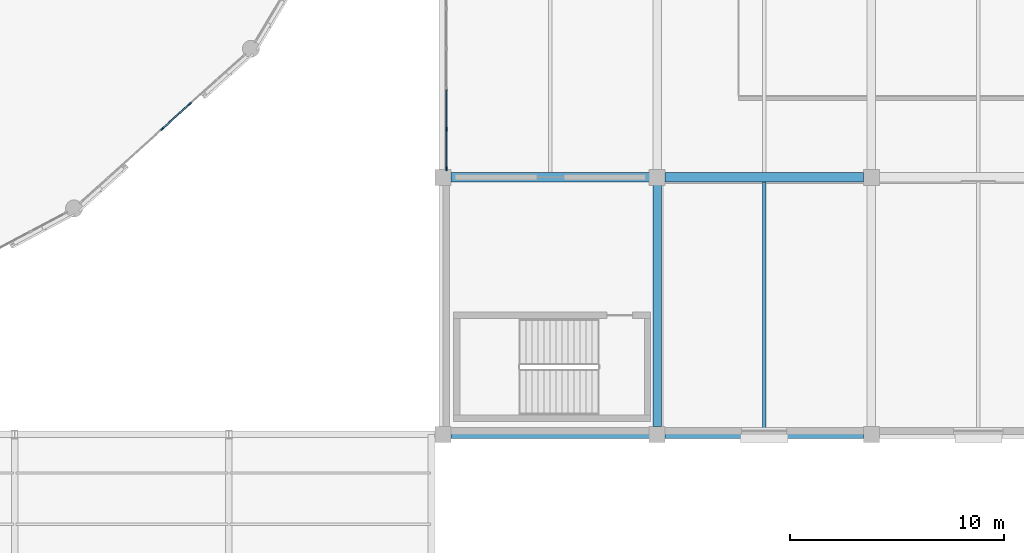
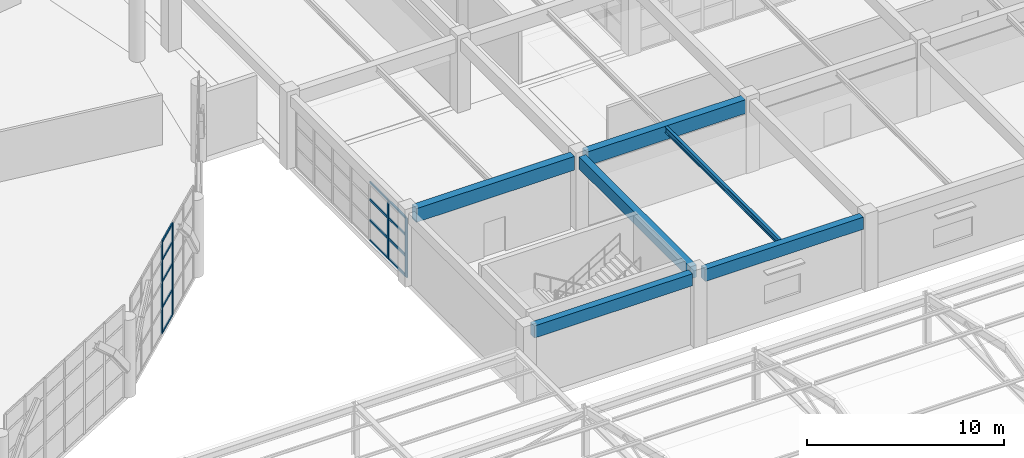
# One storey, part 33 of 109: 17 members, 6 beams, 2 elements without a shape of their own.
"""IFC4 building model written with IfcOpenShell, lengths in metres."""

import ifcopenshell
import ifcopenshell.guid

model = None  # the IFC model being written
_history = None  # IfcOwnerHistory: only IFC2X3 demands one
_inside = {}  # id of a spatial element -> (the spatial element, [elements in it])
_under = {}  # id of a project, library or spatial element -> (it, [spatial elements below it])
_declared = {}  # id of a project -> (the project, [libraries it declares])
_typed = {}  # id of a type object -> (the type object, [elements of that type])
_made_of = {}  # id of a material, layer set ... -> (it, [elements and type objects made of it])


def new_model(schema):
    """Start an empty IFC model of exactly this schema.

    Asked for "IFC4X3", IfcOpenShell would pick the latest addendum, in which some entities
    have other attributes; the version numbers below select the first issue.
    IFC2X3 requires an IfcOwnerHistory on every rooted entity: one is made here for all.
    """
    global model, _history
    if schema == "IFC4X3":
        model = ifcopenshell.file(schema_version=(4, 3, 0, 0))
    else:
        model = ifcopenshell.file(schema=schema)
    _inside.clear()
    _under.clear()
    _declared.clear()
    _typed.clear()
    _made_of.clear()
    _history = None
    if model.schema == "IFC2X3":
        org = make("IfcOrganization", Name="unknown")
        user = make(
            "IfcPersonAndOrganization",
            ThePerson=make("IfcPerson", FamilyName="unknown"),
            TheOrganization=org,
        )
        app = make(
            "IfcApplication",
            ApplicationDeveloper=org,
            Version="unknown",
            ApplicationFullName="unknown",
            ApplicationIdentifier="unknown",
        )
        _history = make(
            "IfcOwnerHistory",
            OwningUser=user,
            OwningApplication=app,
            ChangeAction="ADDED",
            CreationDate=0,
        )
    return model


def make(cls, **values):
    """One entity of the class cls with the attributes given. An attribute that is None is left unset."""
    return model.create_entity(
        cls, **{name: value for name, value in values.items() if value is not None}
    )


def rooted(cls, **values):
    """An entity with a GlobalId (a new one), such as an element, a storey or a relation."""
    return make(cls, GlobalId=ifcopenshell.guid.new(), OwnerHistory=_history, **values)


def si_unit(unit_type, name, prefix=None):
    """IfcSIUnit, for example si_unit("LENGTHUNIT", "METRE", prefix="MILLI")."""
    return make("IfcSIUnit", UnitType=unit_type, Prefix=prefix, Name=name)


def assignment(units):
    """IfcUnitAssignment: the units of a project."""
    return None if units is None else make("IfcUnitAssignment", Units=units)


def point(xyz):
    """IfcCartesianPoint."""
    return None if xyz is None else make("IfcCartesianPoint", Coordinates=xyz)


def direction(xyz):
    """IfcDirection."""
    return None if xyz is None else make("IfcDirection", DirectionRatios=xyz)


def frame(location, z_axis=None, x_axis=None):
    """IfcAxis2Placement3D, a coordinate frame: its origin and axes. An axis left out is left unset."""
    return make(
        "IfcAxis2Placement3D",
        Location=point(location),
        Axis=direction(z_axis),
        RefDirection=direction(x_axis),
    )


def frame_2d(location, x_axis=None):
    """IfcAxis2Placement2D, a coordinate frame in the plane: its origin and x axis."""
    return make(
        "IfcAxis2Placement2D", Location=point(location), RefDirection=direction(x_axis)
    )


def origin():
    """The frame at (0, 0, 0) with its axes left unset."""
    return frame((0.0, 0.0, 0.0))


def origin_2d():
    """The frame at (0, 0) in the plane with its x axis left unset."""
    return frame_2d((0.0, 0.0))


def place(relative_to, where):
    """IfcLocalPlacement: puts the frame where relative to a parent placement (None: the world)."""
    return make(
        "IfcLocalPlacement", PlacementRelTo=relative_to, RelativePlacement=where
    )


def context(
    kind, dimensions, precision=None, world=None, true_north=None, identifier=None
):
    """IfcGeometricRepresentationContext, for example the 3D "Model" context."""
    return make(
        "IfcGeometricRepresentationContext",
        ContextIdentifier=identifier,
        ContextType=kind,
        CoordinateSpaceDimension=dimensions,
        Precision=precision,
        WorldCoordinateSystem=world,
        TrueNorth=true_north,
    )


def subcontext(parent, identifier, kind, view, scale=None):
    """IfcGeometricRepresentationSubContext, for example "Body" below "Model"."""
    return make(
        "IfcGeometricRepresentationSubContext",
        ContextIdentifier=identifier,
        ContextType=kind,
        ParentContext=parent,
        TargetScale=scale,
        TargetView=view,
    )


def project(units=None, contexts=None):
    """IfcProject with its units and contexts."""
    return rooted(
        "IfcProject",
        Name="project",
        RepresentationContexts=contexts,
        UnitsInContext=assignment(units),
    )


def spatial(cls, under=None, at=None, **own):
    """A site, building, storey or space (cls), placed at a placement, below another one or the project."""
    s = rooted(cls, ObjectPlacement=at, **own)
    if under is not None:
        _under.setdefault(under.id(), (under, []))[1].append(s)
    return s


def profile(cls, at=None, kind="AREA", **sizes):
    """A parametric profile (cls). Its sizes go by their IFC names, for example OverallWidth=200.0."""
    return make(cls, ProfileType=kind, Position=at, **sizes)


def rectangle(**sizes):
    """IfcRectangleProfileDef."""
    return profile("IfcRectangleProfileDef", **sizes)


def i_section(**sizes):
    """IfcIShapeProfileDef."""
    return profile("IfcIShapeProfileDef", **sizes)


def extrude(swept, where, along, depth):
    """IfcExtrudedAreaSolid: the profile swept, set in the frame where, extruded along a direction by depth."""
    return make(
        "IfcExtrudedAreaSolid",
        SweptArea=swept,
        Position=where,
        ExtrudedDirection=direction(along),
        Depth=depth,
    )


def shape(context_of_items, identifier, shape_type, items):
    """IfcShapeRepresentation: the items that make up one representation, for example the "Body"."""
    return make(
        "IfcShapeRepresentation",
        ContextOfItems=context_of_items,
        RepresentationIdentifier=identifier,
        RepresentationType=shape_type,
        Items=items,
    )


def material(Name=None, Category=None):
    """IfcMaterial."""
    return make("IfcMaterial", Name=Name, Category=Category)


def layer(
    of_material, thickness, ventilated=None, Name=None, Category=None, Priority=None
):
    """IfcMaterialLayer: one layer of a wall or slab, of a material (None: an air gap)."""
    return make(
        "IfcMaterialLayer",
        Material=of_material,
        LayerThickness=thickness,
        IsVentilated=ventilated,
        Name=Name,
        Category=Category,
        Priority=Priority,
    )


def layer_set(layers, Name=None):
    """IfcMaterialLayerSet."""
    return make("IfcMaterialLayerSet", MaterialLayers=layers, LayerSetName=Name)


def material_profile(
    of_material, cross_section, Name=None, Category=None, Priority=None
):
    """IfcMaterialProfile: a cross section and its material."""
    return make(
        "IfcMaterialProfile",
        Name=Name,
        Material=of_material,
        Profile=cross_section,
        Priority=Priority,
        Category=Category,
    )


def profile_set(profiles, Name=None, composite=None):
    """IfcMaterialProfileSet."""
    return make(
        "IfcMaterialProfileSet",
        Name=Name,
        MaterialProfiles=profiles,
        CompositeProfile=composite,
    )


def made_of(thing, what):
    """Note that an element or type object is made of a material, layer set ...; save() writes the relation."""
    if what is not None:
        _made_of.setdefault(what.id(), (what, []))[1].append(thing)
    return thing


def type_object(cls, material=None, **own):
    """A type object (cls), such as IfcWallType, which elements share."""
    return made_of(rooted(cls, **own), material)


def element(
    cls,
    number,
    at=None,
    inside=None,
    cuts=None,
    type_object=None,
    material=None,
    context=None,
    identifier="Body",
    shape_type=None,
    held_by="IfcProductDefinitionShape",
    body=None,
    shapes=None,
    **own,
):
    """One element of the class cls, such as IfcWall. Its Tag is "e" and its number.

    at: its placement. inside: the storey or other place that contains it. cuts: it is an
    opening in that element (IfcRelVoidsElement). A single representation is given by context,
    identifier, shape_type and body (its items); several are given by shapes. held_by: the class
    of the entity that holds the representations. save() writes the other relations.
    """
    e = rooted(cls, Tag="e%d" % number, ObjectPlacement=at, **own)
    if body is not None:
        shapes = [shape(context, identifier, shape_type, body)]
    if shapes is not None:
        e.Representation = make(held_by, Representations=shapes)
    if inside is not None:
        _inside.setdefault(inside.id(), (inside, []))[1].append(e)
    if cuts is not None:
        rooted(
            "IfcRelVoidsElement", RelatingBuildingElement=cuts, RelatedOpeningElement=e
        )
    if type_object is not None:
        _typed.setdefault(type_object.id(), (type_object, []))[1].append(e)
    return made_of(e, material)


def aggregate(whole, parts):
    """IfcRelAggregates: a whole, such as a stair, and the parts it consists of."""
    return rooted("IfcRelAggregates", RelatingObject=whole, RelatedObjects=parts)


def save(model, path):
    """Write the relations noted so far, then the file.

    IfcRelAggregates (storeys below a building ...), IfcRelContainedInSpatialStructure (elements
    in a storey), IfcRelDefinesByType, IfcRelAssociatesMaterial and IfcRelDeclares: one each for
    every whole, place, type object, material and project.
    """
    for whole, parts in _under.values():
        aggregate(whole, parts)
    for where, things in _inside.values():
        rooted(
            "IfcRelContainedInSpatialStructure",
            RelatedElements=things,
            RelatingStructure=where,
        )
    for kind, things in _typed.values():
        rooted("IfcRelDefinesByType", RelatedObjects=things, RelatingType=kind)
    for what, things in _made_of.values():
        rooted("IfcRelAssociatesMaterial", RelatedObjects=things, RelatingMaterial=what)
    for by, libraries in _declared.values():
        rooted("IfcRelDeclares", RelatingContext=by, RelatedDefinitions=libraries)
    model.write(path)


model = new_model("IFC4")

# Units and contexts
model_context = context("Model", 3, precision=1e-05, world=origin(), true_north=direction((0.0, 1.0)))
body_context = subcontext(model_context, "Body", "Model", "MODEL_VIEW")
ifc_project = project(units=[si_unit("LENGTHUNIT", "METRE"), si_unit("AREAUNIT", "SQUARE_METRE"), si_unit("VOLUMEUNIT", "CUBIC_METRE"), si_unit("PLANEANGLEUNIT", "RADIAN"), si_unit("MASSUNIT", "GRAM", prefix="KILO")], contexts=[model_context])

# Site, building, storey
site_placement = place(None, origin())
site = spatial("IfcSite", under=ifc_project, at=site_placement, CompositionType="ELEMENT")
building_placement = place(site_placement, origin())
building = spatial("IfcBuilding", under=site, at=building_placement, Name="Kivolera Central Railway Station", CompositionType="ELEMENT")
storey_placement = place(building_placement, frame((0.0, 0.0, 9.60009765625)))
storey = spatial("IfcBuildingStorey", under=building, at=storey_placement, Name="L02", CompositionType="ELEMENT", Elevation=9.60009765625)

# Beams
ifc_material_1 = material(Name="Steel S355", Category="steel")
ifc_material_profile_1 = material_profile(ifc_material_1, i_section(OverallWidth=0.169921875, OverallDepth=0.360107421875, WebThickness=0.008056640625, FlangeThickness=0.0126953125, FilletRadius=0.01806640625, at=origin_2d()), Name="IPE 360")
ifc_profile_set_1 = profile_set([ifc_material_profile_1], Name="Steel S355")
beam_type_1 = type_object("IfcBeamType", Name="BM-JST-IPE360", PredefinedType="JOIST", material=ifc_profile_set_1)
beam_1_placement = place(storey_placement, frame((133.0, 54.19189453125, 4.327880859375), z_axis=(0.0, 1.0, 0.0), x_axis=(-1.0, 0.0, 0.0)))
element("IfcBeam", 1, at=beam_1_placement, inside=storey, type_object=beam_type_1, Name="L02 Floor Joist 13-14/E-F", PredefinedType="JOIST", context=body_context, shape_type="SweptSolid", body=[
    extrude(i_section(OverallWidth=0.169921875, OverallDepth=0.360107421875, WebThickness=0.008056640625, FlangeThickness=0.0126953125, FilletRadius=0.01806640625, at=origin_2d()), origin(), (0.0, 0.0, 1.0), 11.591064453125),
])
ifc_material_2 = material(Name="Concrete C40/50", Category="concrete")
ifc_material_profile_2 = material_profile(ifc_material_2, rectangle(XDim=0.39990234375, YDim=0.75, at=origin_2d()), Name="RC 400x750")
ifc_profile_set_2 = profile_set([ifc_material_profile_2], Name="Concrete C40/50")
beam_type_2 = type_object("IfcBeamType", Name="BM-RC-400x750", PredefinedType="BEAM", material=ifc_profile_set_2)
beam_2_placement = place(storey_placement, frame((128.0, 54.366943359375, 4.14501953125), z_axis=(0.0, 1.0, 0.0), x_axis=(-1.0, 0.0, 0.0)))
element("IfcBeam", 2, at=beam_2_placement, inside=storey, type_object=beam_type_2, Name="L02 Wing Y-Beam 13:E-F", PredefinedType="BEAM", context=body_context, shape_type="SweptSolid", body=[
    extrude(rectangle(XDim=0.39990234375, YDim=0.75, at=origin_2d()), origin(), (0.0, 0.0, 1.0), 11.26611328125),
])
ifc_material_profile_3 = material_profile(ifc_material_2, rectangle(XDim=0.449951171875, YDim=0.85009765625, at=origin_2d()), Name="RC 450x850")
ifc_profile_set_3 = profile_set([ifc_material_profile_3], Name="Concrete C40/50")
beam_type_3 = type_object("IfcBeamType", Name="BM-RC-450x850", PredefinedType="BEAM", material=ifc_profile_set_3)
for number, where, z_axis, x_axis, name in (
    (3, (118.366943359375, 66.0, 4.094970703125), (1.0, 0.0, 0.0), (0.0, 1.0, 0.0), "L02 Wing X-Beam F:12-13"),
    (4, (128.366943359375, 66.0, 4.094970703125), (1.0, 0.0, 0.0), (0.0, 1.0, 0.0), "L02 Wing X-Beam F:13-14"),
):
    element("IfcBeam", number, at=place(storey_placement, frame(where, z_axis=z_axis, x_axis=x_axis)), inside=storey, type_object=beam_type_3, Name=name, PredefinedType="BEAM", context=body_context, shape_type="SweptSolid", body=[
        extrude(rectangle(XDim=0.449951171875, YDim=0.85009765625, at=origin_2d()), origin(), (0.0, 0.0, 1.0), 9.26611328125),
    ])
ifc_material_profile_4 = material_profile(ifc_material_2, rectangle(XDim=0.39990234375, YDim=0.75, at=origin_2d()), Name="RC 400x750")
ifc_profile_set_4 = profile_set([ifc_material_profile_4], Name="Concrete C40/50")
beam_type_4 = type_object("IfcBeamType", Name="BM-SPN-RC750", PredefinedType="SPANDREL", material=ifc_profile_set_4)
for number, where, z_axis, x_axis, name in (
    (5, (118.366943359375, 54.0, 4.14501953125), (1.0, 0.0, 0.0), (0.0, 1.0, 0.0), "L02 Wing X-Beam E:12-13"),
    (6, (128.366943359375, 54.0, 4.14501953125), (1.0, 0.0, 0.0), (0.0, 1.0, 0.0), "L02 Wing X-Beam E:13-14"),
):
    element("IfcBeam", number, at=place(storey_placement, frame(where, z_axis=z_axis, x_axis=x_axis)), inside=storey, type_object=beam_type_4, Name=name, PredefinedType="SPANDREL", context=body_context, shape_type="SweptSolid", body=[
        extrude(rectangle(XDim=0.39990234375, YDim=0.75, at=origin_2d()), origin(), (0.0, 0.0, 1.0), 9.26611328125),
    ])

# Curtain wall, members
ifc_material_3 = material(Name="Anodised aluminium", Category="aluminium")
ifc_layer_1 = layer(ifc_material_3, 0.179931640625, Name="Anodised aluminium")
ifc_layer_set_1 = layer_set([ifc_layer_1], Name="Anodised aluminium")
curtain_wall_type_1 = type_object("IfcCurtainWallType", Name="CW-SYS-06", PredefinedType="NOTDEFINED", material=ifc_layer_set_1)
curtain_wall_1_placement = place(storey_placement, origin())
curtain_wall_1 = element("IfcCurtainWall", 7, at=curtain_wall_1_placement, inside=storey, type_object=curtain_wall_type_1, Name="L02 Curtain Wall CW-L02-OVL-21", PredefinedType="NOTDEFINED")
ifc_material_profile_5 = material_profile(ifc_material_3, rectangle(XDim=0.070068359375, YDim=0.179931640625, at=origin_2d()), Name="ALU MULL 70x180")
ifc_profile_set_5 = profile_set([ifc_material_profile_5], Name="Anodised aluminium")
member_type_1 = type_object("IfcMemberType", Name="CWM-MUL-1", PredefinedType="MULLION", material=ifc_profile_set_5)
member_1_placement = place(storey_placement, frame((106.1796875, 69.42529296875, -0.005126953125), z_axis=(0.0, 0.0, 1.0), x_axis=(0.66992157428, -0.742431871833, 0.0)))
member_1 = element("IfcMember", 8, at=member_1_placement, type_object=member_type_1, Name="CW-06 mullion 3", PredefinedType="MULLION", context=body_context, shape_type="SweptSolid", body=[
    extrude(rectangle(XDim=0.070068359375, YDim=0.179931640625, at=origin_2d()), origin(), (0.0, 0.0, 1.0), 5.705078125),
])
member_2_placement = place(storey_placement, frame((104.901611328125, 68.27197265625, -0.005126953125), z_axis=(0.0, 0.0, 1.0), x_axis=(0.66992157428, -0.742431871833, 0.0)))
member_2 = element("IfcMember", 9, at=member_2_placement, type_object=member_type_1, Name="CW-06 mullion 4", PredefinedType="MULLION", context=body_context, shape_type="SweptSolid", body=[
    extrude(rectangle(XDim=0.070068359375, YDim=0.179931640625, at=origin_2d()), origin(), (0.0, 0.0, 1.0), 5.705078125),
])

ifc_layer_2 = layer(ifc_material_3, 0.179931640625, Name="Anodised aluminium")
ifc_layer_set_2 = layer_set([ifc_layer_2], Name="Anodised aluminium")
curtain_wall_type_2 = type_object("IfcCurtainWallType", Name="CW-SYS-28", PredefinedType="NOTDEFINED", material=ifc_layer_set_2)
curtain_wall_2_placement = place(storey_placement, origin())
curtain_wall_2 = element("IfcCurtainWall", 10, at=curtain_wall_2_placement, inside=storey, type_object=curtain_wall_type_2, Name="L02 Curtain Wall CW-L02-WEST-F", PredefinedType="NOTDEFINED")
member_3_placement = place(storey_placement, frame((118.153076171875, 66.405029296875, -0.005126953125), z_axis=(0.0, 0.0, 1.0), x_axis=(-1.0, 0.0, 0.0)))
member_3 = element("IfcMember", 11, at=member_3_placement, type_object=member_type_1, Name="CW-28 mullion 1", PredefinedType="MULLION", context=body_context, shape_type="SweptSolid", body=[
    extrude(rectangle(XDim=0.070068359375, YDim=0.179931640625, at=origin_2d()), origin(), (0.0, 0.0, 1.0), 3.6630859375),
])
member_4_placement = place(storey_placement, frame((118.153076171875, 68.24658203125, -0.005126953125), z_axis=(0.0, 0.0, 1.0), x_axis=(-1.0, 0.0, 0.0)))
member_4 = element("IfcMember", 12, at=member_4_placement, type_object=member_type_1, Name="CW-28 mullion 2", PredefinedType="MULLION", context=body_context, shape_type="SweptSolid", body=[
    extrude(rectangle(XDim=0.070068359375, YDim=0.179931640625, at=origin_2d()), origin(), (0.0, 0.0, 1.0), 3.6630859375),
])

# Member
ifc_material_profile_6 = material_profile(ifc_material_3, rectangle(XDim=0.070068359375, YDim=0.139892578125, at=origin_2d()), Name="ALU TRAN 70x140")
ifc_profile_set_6 = profile_set([ifc_material_profile_6], Name="Anodised aluminium")
member_type_2 = type_object("IfcMemberType", Name="CWM-TRN-1", PredefinedType="USERDEFINED", material=ifc_profile_set_6)
member_5_placement = place(storey_placement, frame((106.153564453125, 69.40185546875, 0.034912109375), z_axis=(-0.742396704206, -0.669960546289, 0.0), x_axis=(0.669960546289, -0.742396704206, 0.0)))
member_5 = element("IfcMember", 13, at=member_5_placement, type_object=member_type_2, Name="CW-06 transom 3.1", ObjectType="TRANSOM", PredefinedType="USERDEFINED", context=body_context, shape_type="SweptSolid", body=[
    extrude(rectangle(XDim=0.070068359375, YDim=0.139892578125, at=origin_2d()), origin(), (0.0, 0.0, 1.0), 1.651611328125),
])

member_6_placement = place(storey_placement, frame((106.153564453125, 69.40185546875, 1.599853515625), z_axis=(-0.742396704206, -0.669960546289, 0.0), x_axis=(0.669960546289, -0.742396704206, 0.0)))
member_6 = element("IfcMember", 14, at=member_6_placement, type_object=member_type_2, Name="CW-06 transom 3.2", ObjectType="TRANSOM", PredefinedType="USERDEFINED", context=body_context, shape_type="SweptSolid", body=[
    extrude(rectangle(XDim=0.070068359375, YDim=0.139892578125, at=origin_2d()), origin(), (0.0, 0.0, 1.0), 1.651611328125),
])

member_7_placement = place(storey_placement, frame((106.153564453125, 69.40185546875, 3.199951171875), z_axis=(-0.742396704206, -0.669960546289, 0.0), x_axis=(0.669960546289, -0.742396704206, 0.0)))
member_7 = element("IfcMember", 15, at=member_7_placement, type_object=member_type_2, Name="CW-06 transom 3.3", ObjectType="TRANSOM", PredefinedType="USERDEFINED", context=body_context, shape_type="SweptSolid", body=[
    extrude(rectangle(XDim=0.070068359375, YDim=0.139892578125, at=origin_2d()), origin(), (0.0, 0.0, 1.0), 1.651611328125),
])

member_8_placement = place(storey_placement, frame((106.153564453125, 69.40185546875, 4.5498046875), z_axis=(-0.742396704206, -0.669960546289, 0.0), x_axis=(0.669960546289, -0.742396704206, 0.0)))
member_8 = element("IfcMember", 16, at=member_8_placement, type_object=member_type_2, Name="CW-06 transom 3.4", ObjectType="TRANSOM", PredefinedType="USERDEFINED", context=body_context, shape_type="SweptSolid", body=[
    extrude(rectangle(XDim=0.070068359375, YDim=0.139892578125, at=origin_2d()), origin(), (0.0, 0.0, 1.0), 1.651611328125),
])

member_9_placement = place(storey_placement, frame((106.153564453125, 69.40185546875, 5.664794921875), z_axis=(-0.742396704206, -0.669960546289, 0.0), x_axis=(0.669960546289, -0.742396704206, 0.0)))
member_9 = element("IfcMember", 17, at=member_9_placement, type_object=member_type_2, Name="CW-06 transom 3.5", ObjectType="TRANSOM", PredefinedType="USERDEFINED", context=body_context, shape_type="SweptSolid", body=[
    extrude(rectangle(XDim=0.070068359375, YDim=0.139892578125, at=origin_2d()), origin(), (0.0, 0.0, 1.0), 1.651611328125),
])

aggregate(curtain_wall_1, [member_1, member_2, member_5, member_6, member_7, member_8, member_9])

member_10_placement = place(storey_placement, frame((118.153076171875, 66.43994140625, 0.034912109375), z_axis=(0.0, 1.0, 0.0), x_axis=(-1.0, 0.0, 0.0)))
member_10 = element("IfcMember", 18, at=member_10_placement, type_object=member_type_2, Name="CW-28 transom 1.1", ObjectType="TRANSOM", PredefinedType="USERDEFINED", context=body_context, shape_type="SweptSolid", body=[
    extrude(rectangle(XDim=0.070068359375, YDim=0.139892578125, at=origin_2d()), origin(), (0.0, 0.0, 1.0), 1.771728515625),
])

member_11_placement = place(storey_placement, frame((118.153076171875, 66.43994140625, 1.2802734375), z_axis=(0.0, 1.0, 0.0), x_axis=(-1.0, 0.0, 0.0)))
member_11 = element("IfcMember", 19, at=member_11_placement, type_object=member_type_2, Name="CW-28 transom 1.2", ObjectType="TRANSOM", PredefinedType="USERDEFINED", context=body_context, shape_type="SweptSolid", body=[
    extrude(rectangle(XDim=0.070068359375, YDim=0.139892578125, at=origin_2d()), origin(), (0.0, 0.0, 1.0), 1.771728515625),
])

member_12_placement = place(storey_placement, frame((118.153076171875, 66.43994140625, 2.560546875), z_axis=(0.0, 1.0, 0.0), x_axis=(-1.0, 0.0, 0.0)))
member_12 = element("IfcMember", 20, at=member_12_placement, type_object=member_type_2, Name="CW-28 transom 1.3", ObjectType="TRANSOM", PredefinedType="USERDEFINED", context=body_context, shape_type="SweptSolid", body=[
    extrude(rectangle(XDim=0.070068359375, YDim=0.139892578125, at=origin_2d()), origin(), (0.0, 0.0, 1.0), 1.771728515625),
])

member_13_placement = place(storey_placement, frame((118.153076171875, 66.43994140625, 3.622802734375), z_axis=(0.0, 1.0, 0.0), x_axis=(-1.0, 0.0, 0.0)))
member_13 = element("IfcMember", 21, at=member_13_placement, type_object=member_type_2, Name="CW-28 transom 1.4", ObjectType="TRANSOM", PredefinedType="USERDEFINED", context=body_context, shape_type="SweptSolid", body=[
    extrude(rectangle(XDim=0.070068359375, YDim=0.139892578125, at=origin_2d()), origin(), (0.0, 0.0, 1.0), 1.771728515625),
])

member_14_placement = place(storey_placement, frame((118.153076171875, 68.28173828125, 0.034912109375), z_axis=(0.0, 1.0, 0.0), x_axis=(-1.0, 0.0, 0.0)))
member_14 = element("IfcMember", 22, at=member_14_placement, type_object=member_type_2, Name="CW-28 transom 2.1", ObjectType="TRANSOM", PredefinedType="USERDEFINED", context=body_context, shape_type="SweptSolid", body=[
    extrude(rectangle(XDim=0.070068359375, YDim=0.139892578125, at=origin_2d()), origin(), (0.0, 0.0, 1.0), 1.806640625),
])

member_15_placement = place(storey_placement, frame((118.153076171875, 68.28173828125, 1.2802734375), z_axis=(0.0, 1.0, 0.0), x_axis=(-1.0, 0.0, 0.0)))
member_15 = element("IfcMember", 23, at=member_15_placement, type_object=member_type_2, Name="CW-28 transom 2.2", ObjectType="TRANSOM", PredefinedType="USERDEFINED", context=body_context, shape_type="SweptSolid", body=[
    extrude(rectangle(XDim=0.070068359375, YDim=0.139892578125, at=origin_2d()), origin(), (0.0, 0.0, 1.0), 1.806640625),
])

member_16_placement = place(storey_placement, frame((118.153076171875, 68.28173828125, 2.560546875), z_axis=(0.0, 1.0, 0.0), x_axis=(-1.0, 0.0, 0.0)))
member_16 = element("IfcMember", 24, at=member_16_placement, type_object=member_type_2, Name="CW-28 transom 2.3", ObjectType="TRANSOM", PredefinedType="USERDEFINED", context=body_context, shape_type="SweptSolid", body=[
    extrude(rectangle(XDim=0.070068359375, YDim=0.139892578125, at=origin_2d()), origin(), (0.0, 0.0, 1.0), 1.806640625),
])

member_17_placement = place(storey_placement, frame((118.153076171875, 68.28173828125, 3.622802734375), z_axis=(0.0, 1.0, 0.0), x_axis=(-1.0, 0.0, 0.0)))
member_17 = element("IfcMember", 25, at=member_17_placement, type_object=member_type_2, Name="CW-28 transom 2.4", ObjectType="TRANSOM", PredefinedType="USERDEFINED", context=body_context, shape_type="SweptSolid", body=[
    extrude(rectangle(XDim=0.070068359375, YDim=0.139892578125, at=origin_2d()), origin(), (0.0, 0.0, 1.0), 1.806640625),
])

aggregate(curtain_wall_2, [member_3, member_4, member_10, member_11, member_12, member_13, member_14, member_15, member_16, member_17])

save(model, "model.ifc")
